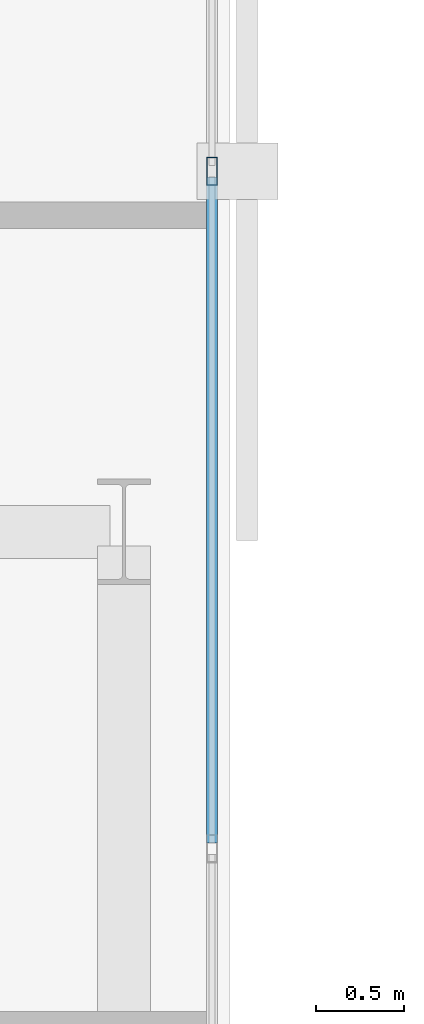
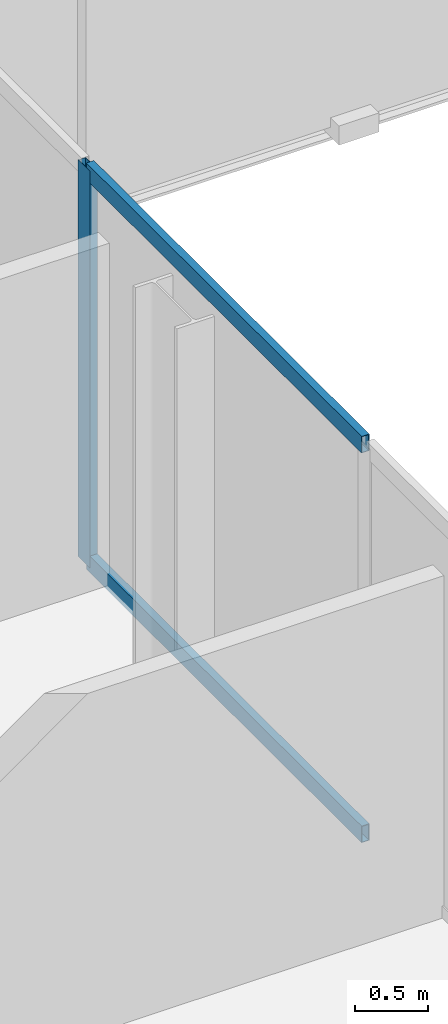
# One storey, part 8 of 32: 3 members, 1 element without a shape of its own.
"""IFC4 building model written with IfcOpenShell, lengths in metres."""

from ifc_helpers import new_model, si_unit, direction, frame, origin, origin_2d, place, context, subcontext, project, spatial, hollow_rectangle, extrude, material, layer, layer_set, material_profile, profile_set, type_object, element, aggregate, save


model = new_model("IFC4")

# Units and contexts
model_context = context("Model", 3, precision=1e-05, world=origin(), true_north=direction((0.0, 1.0)))
body_context = subcontext(model_context, "Body", "Model", "MODEL_VIEW")
ifc_project = project(units=[si_unit("LENGTHUNIT", "METRE"), si_unit("AREAUNIT", "SQUARE_METRE"), si_unit("VOLUMEUNIT", "CUBIC_METRE"), si_unit("PLANEANGLEUNIT", "RADIAN"), si_unit("MASSUNIT", "GRAM", prefix="KILO")], contexts=[model_context])

# Site, building, storey
site_placement = place(None, origin())
site = spatial("IfcSite", under=ifc_project, at=site_placement, CompositionType="ELEMENT")
building_placement = place(site_placement, origin())
building = spatial("IfcBuilding", under=site, at=building_placement, Name="Catumbela Crestline Tower", CompositionType="ELEMENT")
storey_placement = place(building_placement, frame((0.0, 0.0, 122.4)))
storey = spatial("IfcBuildingStorey", under=building, at=storey_placement, Name="L31", CompositionType="ELEMENT", Elevation=122.4)

# Curtain wall, members
ifc_material = material(Name="Aluminium alloy AW-6060-T66", Category="aluminium")
ifc_layer = layer(ifc_material, 0.18, Name="Aluminium alloy AW-6060-T66")
ifc_layer_set = layer_set([ifc_layer], Name="Aluminium alloy AW-6060-T66")
curtain_wall_type = type_object("IfcCurtainWallType", Name="CWU-Z2", PredefinedType="USERDEFINED", material=ifc_layer_set)
curtain_wall_placement = place(storey_placement, origin())
curtain_wall = element("IfcCurtainWall", 1, at=curtain_wall_placement, inside=storey, type_object=curtain_wall_type, Name="L31 Unitised Curtain Wall CW-L31-E2S1", ObjectType="UNITISED", PredefinedType="USERDEFINED")
ifc_material_profile_1 = material_profile(ifc_material, hollow_rectangle(XDim=0.06, YDim=0.16, WallThickness=0.004, at=origin_2d()), Name="ALU 160x60x4")
ifc_profile_set_1 = profile_set([ifc_material_profile_1], Name="Aluminium alloy AW-6060-T66")
member_type_1 = type_object("IfcMemberType", Name="MUL-160X60", PredefinedType="MULLION", material=ifc_profile_set_1)
member_1_placement = place(storey_placement, frame((23.9, 20.05, 0.0), z_axis=(0.0, 0.0, 1.0), x_axis=(-1.0, 0.0, 0.0)))
member_1 = element("IfcMember", 2, at=member_1_placement, type_object=member_type_1, Name="CWU-Z2 mullion 4", PredefinedType="MULLION", context=body_context, shape_type="SweptSolid", body=[
    extrude(hollow_rectangle(XDim=0.06, YDim=0.16, WallThickness=0.004, at=origin_2d()), origin(), (0.0, 0.0, 1.0), 3.33),
])
ifc_material_profile_2 = material_profile(ifc_material, hollow_rectangle(XDim=0.06, YDim=0.14, WallThickness=0.004, at=origin_2d()), Name="ALU 140x60x4")
ifc_profile_set_2 = profile_set([ifc_material_profile_2], Name="Aluminium alloy AW-6060-T66")
member_type_2 = type_object("IfcMemberType", Name="TRN-140X60", PredefinedType="USERDEFINED", material=ifc_profile_set_2)
member_2_placement = place(storey_placement, frame((23.9, 16.2325, 0.03), z_axis=(0.0, 1.0, 0.0), x_axis=(-1.0, 0.0, 0.0)))
member_2 = element("IfcMember", 3, at=member_2_placement, type_object=member_type_2, Name="CWU-Z2 transom 3.1", ObjectType="TRANSOM", PredefinedType="USERDEFINED", context=body_context, shape_type="SweptSolid", body=[
    extrude(hollow_rectangle(XDim=0.06, YDim=0.14, WallThickness=0.004, at=origin_2d()), origin(), (0.0, 0.0, 1.0), 3.785),
])
member_3_placement = place(storey_placement, frame((23.9, 16.2325, 3.3), z_axis=(0.0, 1.0, 0.0), x_axis=(-1.0, 0.0, 0.0)))
member_3 = element("IfcMember", 4, at=member_3_placement, type_object=member_type_2, Name="CWU-Z2 transom 3.2", ObjectType="TRANSOM", PredefinedType="USERDEFINED", context=body_context, shape_type="SweptSolid", body=[
    extrude(hollow_rectangle(XDim=0.06, YDim=0.14, WallThickness=0.004, at=origin_2d()), origin(), (0.0, 0.0, 1.0), 3.785),
])
aggregate(curtain_wall, [member_1, member_2, member_3])

save(model, "model.ifc")
